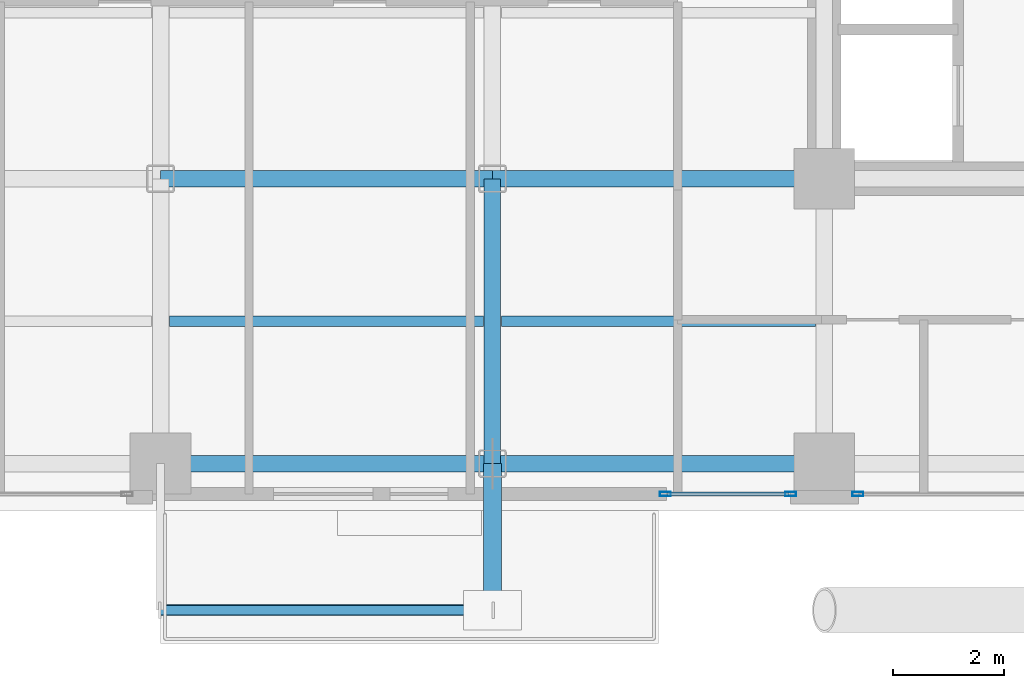
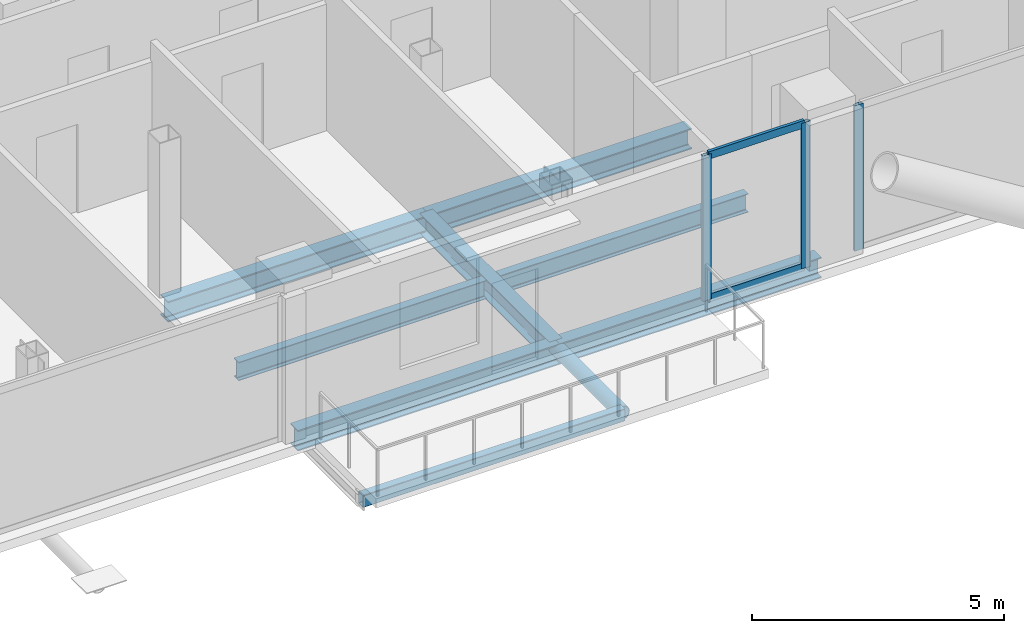
# One storey, part 3 of 24: 8 beams, 6 members, 2 elements without a shape of their own.
"""IFC4 building model written with IfcOpenShell, lengths in metres."""

from ifc_helpers import new_model, si_unit, direction, frame, origin, origin_2d, place, context, subcontext, project, spatial, hollow_rectangle, hollow_circle, i_section, extrude, material, layer, layer_set, material_profile, profile_set, type_object, element, aggregate, save


model = new_model("IFC4")

# Units and contexts
model_context = context("Model", 3, precision=1e-05, world=origin(), true_north=direction((0.0, 1.0)))
body_context = subcontext(model_context, "Body", "Model", "MODEL_VIEW")
ifc_project = project(units=[si_unit("LENGTHUNIT", "METRE"), si_unit("AREAUNIT", "SQUARE_METRE"), si_unit("VOLUMEUNIT", "CUBIC_METRE"), si_unit("PLANEANGLEUNIT", "RADIAN"), si_unit("MASSUNIT", "GRAM", prefix="KILO"), si_unit("THERMODYNAMICTEMPERATUREUNIT", "KELVIN"), si_unit("POWERUNIT", "WATT")], contexts=[model_context])

# Site, building, storey
site_placement = place(None, origin())
site = spatial("IfcSite", under=ifc_project, at=site_placement, CompositionType="ELEMENT")
building_placement = place(site_placement, origin())
building = spatial("IfcBuilding", under=site, at=building_placement, Name="Svarakhadi Broadcast Tower", CompositionType="ELEMENT")
storey_placement = place(building_placement, frame((0.0, 0.0, 156.89990234375)))
storey = spatial("IfcBuildingStorey", under=building, at=storey_placement, Name="L38", CompositionType="ELEMENT", Elevation=156.89990234375)

# Beams
ifc_material_1 = material(Name="Steel S355J2 (IS 2062 E350C)", Category="steel")
ifc_material_profile_1 = material_profile(ifc_material_1, i_section(OverallWidth=0.18994140625, OverallDepth=0.449951171875, WebThickness=0.009521484375, FlangeThickness=0.0146484375, FilletRadius=0.02099609375, at=origin_2d()), Name="NPB 450x190x78")
ifc_profile_set_1 = profile_set([ifc_material_profile_1], Name="Steel S355J2 (IS 2062 E350C)")
beam_type_1 = type_object("IfcBeamType", Name="Beam_NPB450", PredefinedType="BEAM", material=ifc_profile_set_1)
for number, where, z_axis, x_axis, name in (
    (1, (12.159912109375, 3.425048828125, -0.449951171875), (1.0, 0.0, 0.0), (0.0, 1.0, 0.0), "L38 Secondary Composite Beam SB011"),
    (2, (18.159912109375, 3.425048828125, -0.449951171875), (1.0, 0.0, 0.0), (0.0, 1.0, 0.0), "L38 Secondary Composite Beam SB016"),
):
    element("IfcBeam", number, at=place(storey_placement, frame(where, z_axis=z_axis, x_axis=x_axis)), inside=storey, type_object=beam_type_1, Name=name, PredefinedType="BEAM", context=body_context, shape_type="SweptSolid", body=[
        extrude(i_section(OverallWidth=0.18994140625, OverallDepth=0.449951171875, WebThickness=0.009521484375, FlangeThickness=0.0146484375, FilletRadius=0.02099609375, at=origin_2d()), origin(), (0.0, 0.0, 1.0), 5.68017578125),
    ])

# Curtain wall, member
ifc_material_2 = material(Name="Anodised Bronze Aluminium AA 6063-T6", Category="aluminium")
ifc_layer = layer(ifc_material_2, 0.199951171875)
ifc_layer_set = layer_set([ifc_layer], Name="Anodised Bronze Aluminium AA 6063-T6")
curtain_wall_type = type_object("IfcCurtainWallType", Name="CW_Sys_03", PredefinedType="NOTDEFINED", material=ifc_layer_set)
curtain_wall_1_placement = place(storey_placement, origin())
curtain_wall_1 = element("IfcCurtainWall", 3, at=curtain_wall_1_placement, inside=storey, type_object=curtain_wall_type, Name="L38 South Curtain Wall 16 Bay 3", PredefinedType="NOTDEFINED")
ifc_material_profile_2 = material_profile(ifc_material_2, hollow_rectangle(XDim=0.074951171875, YDim=0.199951171875, WallThickness=0.005615234375, at=origin_2d()), Name="ALU MULLION 200x75x6")
ifc_profile_set_2 = profile_set([ifc_material_profile_2], Name="Anodised Bronze Aluminium AA 6063-T6")
member_type_1 = type_object("IfcMemberType", Name="CW_Sys_03_Mul", PredefinedType="MULLION", material=ifc_profile_set_2)
member_1_placement = place(storey_placement, frame((24.607421875, 0.300048828125, 0.0), z_axis=(0.0, 0.0, 1.0), x_axis=(0.0, -1.0, 0.0)))
member_1 = element("IfcMember", 4, at=member_1_placement, type_object=member_type_1, Name="CW-03 mullion 2", PredefinedType="MULLION", context=body_context, shape_type="SweptSolid", body=[
    extrude(hollow_rectangle(XDim=0.074951171875, YDim=0.199951171875, WallThickness=0.005615234375, at=origin_2d()), origin(), (0.0, 0.0, 1.0), 3.525146484375),
])
aggregate(curtain_wall_1, [member_1])

# Curtain wall, members
curtain_wall_2_placement = place(storey_placement, origin())
curtain_wall_2 = element("IfcCurtainWall", 5, at=curtain_wall_2_placement, inside=storey, type_object=curtain_wall_type, Name="L38 South Curtain Wall 16 Bay 4", PredefinedType="NOTDEFINED")
member_2_placement = place(storey_placement, frame((23.392578125, 0.300048828125, 0.0), z_axis=(0.0, 0.0, 1.0), x_axis=(0.0, -1.0, 0.0)))
member_2 = element("IfcMember", 6, at=member_2_placement, type_object=member_type_1, Name="CW-03 mullion 1", PredefinedType="MULLION", context=body_context, shape_type="SweptSolid", body=[
    extrude(hollow_rectangle(XDim=0.074951171875, YDim=0.199951171875, WallThickness=0.005615234375, at=origin_2d()), origin(), (0.0, 0.0, 1.0), 3.525146484375),
])
member_3_placement = place(storey_placement, frame((21.12744140625, 0.300048828125, 0.0), z_axis=(0.0, 0.0, 1.0), x_axis=(0.0, -1.0, 0.0)))
member_3 = element("IfcMember", 7, at=member_3_placement, type_object=member_type_1, Name="CW-03 mullion 2", PredefinedType="MULLION", context=body_context, shape_type="SweptSolid", body=[
    extrude(hollow_rectangle(XDim=0.074951171875, YDim=0.199951171875, WallThickness=0.005615234375, at=origin_2d()), origin(), (0.0, 0.0, 1.0), 3.525146484375),
])
ifc_material_profile_3 = material_profile(ifc_material_2, hollow_rectangle(XDim=0.070068359375, YDim=0.18505859375, WallThickness=0.0048828125, at=origin_2d()), Name="ALU TRANSOM 185x70x5")
ifc_profile_set_3 = profile_set([ifc_material_profile_3], Name="Anodised Bronze Aluminium AA 6063-T6")
member_type_2 = type_object("IfcMemberType", Name="CW_Sys_03_Trn", PredefinedType="USERDEFINED", material=ifc_profile_set_3)
member_4_placement = place(storey_placement, frame((23.35498046875, 0.300048828125, 0.03515625), z_axis=(-1.0, 0.0, 0.0), x_axis=(0.0, -1.0, 0.0)))
member_4 = element("IfcMember", 8, at=member_4_placement, type_object=member_type_2, Name="CW-03 transom 1.1", ObjectType="TRANSOM", PredefinedType="USERDEFINED", context=body_context, shape_type="SweptSolid", body=[
    extrude(hollow_rectangle(XDim=0.070068359375, YDim=0.18505859375, WallThickness=0.0048828125, at=origin_2d()), origin(), (0.0, 0.0, 1.0), 2.18994140625),
])
member_5_placement = place(storey_placement, frame((23.35498046875, 0.300048828125, 3.489990234375), z_axis=(-1.0, 0.0, 0.0), x_axis=(0.0, -1.0, 0.0)))
member_5 = element("IfcMember", 9, at=member_5_placement, type_object=member_type_2, Name="CW-03 transom 1.2", ObjectType="TRANSOM", PredefinedType="USERDEFINED", context=body_context, shape_type="SweptSolid", body=[
    extrude(hollow_rectangle(XDim=0.070068359375, YDim=0.18505859375, WallThickness=0.0048828125, at=origin_2d()), origin(), (0.0, 0.0, 1.0), 2.18994140625),
])
aggregate(curtain_wall_2, [member_2, member_3, member_4, member_5])

# Member
ifc_material_3 = material(Name="Steel S460ML (IS 2062 E450BR)", Category="steel")
ifc_material_profile_4 = material_profile(ifc_material_3, hollow_circle(Radius=0.161865234375, WallThickness=0.01611328125, at=origin_2d()), Name="CHS 323.9x16")
ifc_profile_set_4 = profile_set([ifc_material_profile_4], Name="Steel S460ML (IS 2062 E450BR)")
member_type_3 = type_object("IfcMemberType", Name="Exo_Radial_Strut_Z2", PredefinedType="STRUT", material=ifc_profile_set_4)
member_6_placement = place(storey_placement, frame((18.0, -1.800048828125, -0.386962890625), z_axis=(0.0, 1.0, 0.0), x_axis=(-1.0, 0.0, 0.0)))
element("IfcMember", 10, at=member_6_placement, inside=storey, type_object=member_type_3, Name="L38 Exoskeleton Radial Tie Strut S02", PredefinedType="STRUT", context=body_context, shape_type="SweptSolid", body=[
    extrude(hollow_circle(Radius=0.161865234375, WallThickness=0.01611328125, at=origin_2d()), origin(), (0.0, 0.0, 1.0), 2.650146484375),
])

# Beams
ifc_material_profile_5 = material_profile(ifc_material_1, i_section(OverallWidth=0.300048828125, OverallDepth=0.5, WebThickness=0.014404296875, FlangeThickness=0.028076171875, FilletRadius=0.027099609375, at=origin_2d()), Name="WPB 500x300x187")
ifc_profile_set_5 = profile_set([ifc_material_profile_5], Name="Steel S355J2 (IS 2062 E350C)")
beam_type_2 = type_object("IfcBeamType", Name="Girder_WPB500", PredefinedType="USERDEFINED", material=ifc_profile_set_5)
for number, where, z_axis, x_axis, name in (
    (11, (12.0, 0.85009765625, -0.474853515625), (1.0, 0.0, 0.0), (0.0, 1.0, 0.0), "L38 Primary E-W Girder G005"),
    (12, (18.0, 0.85009765625, -0.474853515625), (1.0, 0.0, 0.0), (0.0, 1.0, 0.0), "L38 Primary E-W Girder G006"),
    (13, (12.0, 6.0, -0.474853515625), (1.0, 0.0, 0.0), (0.0, 1.0, 0.0), "L38 Primary E-W Girder G012"),
    (14, (18.0, 6.0, -0.474853515625), (1.0, 0.0, 0.0), (0.0, 1.0, 0.0), "L38 Primary E-W Girder G013"),
):
    element("IfcBeam", number, at=place(storey_placement, frame(where, z_axis=z_axis, x_axis=x_axis)), inside=storey, type_object=beam_type_2, Name=name, ObjectType="GIRDER", PredefinedType="USERDEFINED", context=body_context, shape_type="SweptSolid", body=[
        extrude(i_section(OverallWidth=0.300048828125, OverallDepth=0.5, WebThickness=0.014404296875, FlangeThickness=0.028076171875, FilletRadius=0.027099609375, at=origin_2d()), origin(), (0.0, 0.0, 1.0), 6.0),
    ])
beam_1_placement = place(storey_placement, frame((18.0, 0.85009765625, -0.474853515625), z_axis=(0.0, 1.0, 0.0), x_axis=(-1.0, 0.0, 0.0)))
element("IfcBeam", 15, at=beam_1_placement, inside=storey, type_object=beam_type_2, Name="L38 Primary N-S Girder G056", ObjectType="GIRDER", PredefinedType="USERDEFINED", context=body_context, shape_type="SweptSolid", body=[
    extrude(i_section(OverallWidth=0.300048828125, OverallDepth=0.5, WebThickness=0.014404296875, FlangeThickness=0.028076171875, FilletRadius=0.027099609375, at=origin_2d()), origin(), (0.0, 0.0, 1.0), 5.14990234375),
])
ifc_material_profile_6 = material_profile(ifc_material_3, hollow_rectangle(XDim=0.199951171875, YDim=0.300048828125, WallThickness=0.012451171875, InnerFilletRadius=0.012451171875, OuterFilletRadius=0.02490234375, at=origin_2d()), Name="RHS 300x200x12.5")
ifc_profile_set_6 = profile_set([ifc_material_profile_6], Name="Steel S460ML (IS 2062 E450BR)")
beam_type_3 = type_object("IfcBeamType", Name="Spandrel_RHS300", PredefinedType="SPANDREL", material=ifc_profile_set_6)
beam_2_placement = place(storey_placement, frame((12.0, -1.800048828125, -0.375), z_axis=(1.0, 0.0, 0.0), x_axis=(0.0, 1.0, 0.0)))
element("IfcBeam", 16, at=beam_2_placement, inside=storey, type_object=beam_type_3, Name="L38 Balcony Outer Spandrel 1F", PredefinedType="SPANDREL", context=body_context, shape_type="SweptSolid", body=[
    extrude(hollow_rectangle(XDim=0.199951171875, YDim=0.300048828125, WallThickness=0.012451171875, InnerFilletRadius=0.012451171875, OuterFilletRadius=0.02490234375, at=origin_2d()), origin(), (0.0, 0.0, 1.0), 6.0),
])

save(model, "model.ifc")
